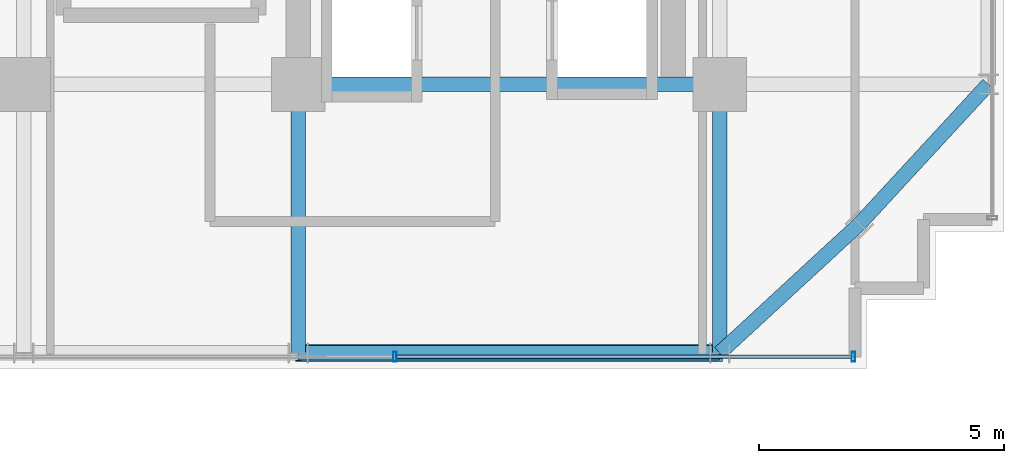
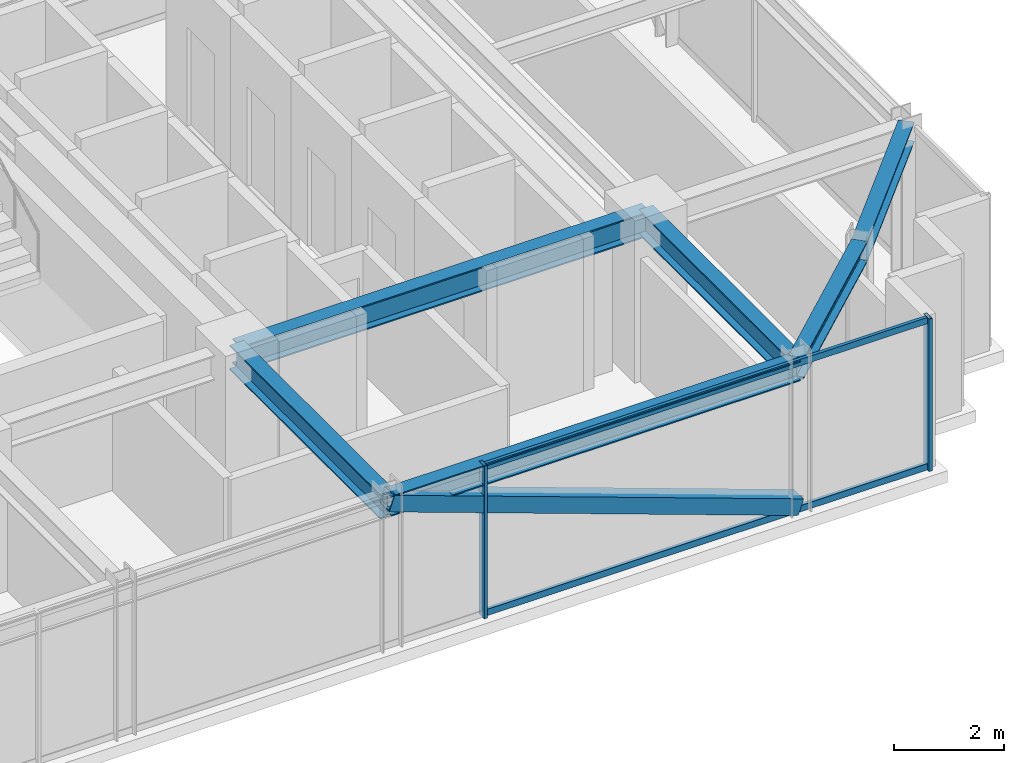
# One storey, part 12 of 36: 6 beams, 5 members, 1 element without a shape of its own.
"""IFC4 building model written with IfcOpenShell, lengths in metres."""

from ifc_helpers import new_model, si_unit, direction, frame, origin, origin_2d, place, context, subcontext, project, spatial, hollow_rectangle, i_section, extrude, source, transform, mapped, material, material_profile, profile_set, type_object, element, aggregate, save


model = new_model("IFC4")

# Units and contexts
model_context = context("Model", 3, precision=1e-05, world=origin(), true_north=direction((0.0, 1.0)))
body_context = subcontext(model_context, "Body", "Model", "MODEL_VIEW")
ifc_project = project(units=[si_unit("LENGTHUNIT", "METRE"), si_unit("AREAUNIT", "SQUARE_METRE"), si_unit("VOLUMEUNIT", "CUBIC_METRE"), si_unit("PLANEANGLEUNIT", "RADIAN"), si_unit("MASSUNIT", "GRAM", prefix="KILO")], contexts=[model_context])

# Site, building, storey
site_placement = place(None, origin())
site = spatial("IfcSite", under=ifc_project, at=site_placement, CompositionType="ELEMENT")
building_placement = place(site_placement, origin())
building = spatial("IfcBuilding", under=site, at=building_placement, Name="Nahalor Promenade Grand Hotel", CompositionType="ELEMENT")
storey_placement = place(building_placement, frame((0.0, 0.0, 170.89990234375)))
storey = spatial("IfcBuildingStorey", under=building, at=storey_placement, Name="L43", CompositionType="ELEMENT", Elevation=170.89990234375)

# Beams
ifc_material_1 = material(Name="Steel S355JR", Category="steel")
ifc_material_profile_1 = material_profile(ifc_material_1, i_section(OverallWidth=0.3, OverallDepth=0.55, WebThickness=0.015, FlangeThickness=0.029, at=origin_2d()), Name="HEB 550")
ifc_profile_set_1 = profile_set([ifc_material_profile_1], Name="Steel S355JR")
beam_type_1 = type_object("IfcBeamType", Name="Beam-Girder-HEB550", PredefinedType="BEAM", material=ifc_profile_set_1)
shared_shape_1 = source(origin(), body_context, "Body", "SweptSolid", [
    extrude(i_section(OverallWidth=0.3, OverallDepth=0.55, WebThickness=0.015, FlangeThickness=0.029, at=origin_2d()), origin(), (0.0, 0.0, 1.0), 8.60009765625),
])
beam_1_placement = place(storey_placement, frame((8.39990234375, -17.0, 3.114990234375), z_axis=(1.0, 0.0, 0.0), x_axis=(0.0, 1.0, 0.0)))
element("IfcBeam", 1, at=beam_1_placement, inside=storey, type_object=beam_type_1, Name="BM-L43-GX-0-5", PredefinedType="BEAM", context=body_context, shape_type="MappedRepresentation", body=[
    mapped(shared_shape_1, transform((0.0, 0.0, 0.0), scale=1.0)),
])
shared_shape_2 = source(origin(), body_context, "Body", "SweptSolid", [
    extrude(i_section(OverallWidth=0.3, OverallDepth=0.55, WebThickness=0.015, FlangeThickness=0.029, at=origin_2d()), origin(), (0.0, 0.0, 1.0), 5.47998046875),
])
for number, where, z_axis, x_axis, name in (
    (2, (8.39990234375, -22.47998046875, 3.114990234375), (0.0, 1.0, 0.0), (-1.0, 0.0, 0.0), "BM-L43-GY-4-0"),
    (3, (17.0, -22.47998046875, 3.114990234375), (0.0, 1.0, 0.0), (-1.0, 0.0, 0.0), "BM-L43-GY-5-0"),
):
    element("IfcBeam", number, at=place(storey_placement, frame(where, z_axis=z_axis, x_axis=x_axis)), inside=storey, type_object=beam_type_1, Name=name, PredefinedType="BEAM", context=body_context, shape_type="MappedRepresentation", body=[
        mapped(shared_shape_2, transform((0.0, 0.0, 0.0), scale=1.0)),
    ])
ifc_material_profile_2 = material_profile(ifc_material_1, i_section(OverallWidth=0.3, OverallDepth=0.45, WebThickness=0.014, FlangeThickness=0.026, at=origin_2d()), Name="HEB 450")
ifc_profile_set_2 = profile_set([ifc_material_profile_2], Name="Steel S355JR")
beam_type_2 = type_object("IfcBeamType", Name="Beam-Spandrel-HEB450", PredefinedType="SPANDREL", material=ifc_profile_set_2)
shared_shape_3 = source(origin(), body_context, "Body", "SweptSolid", [
    extrude(i_section(OverallWidth=0.3, OverallDepth=0.45, WebThickness=0.014, FlangeThickness=0.026, at=origin_2d()), origin(), (0.0, 0.0, 1.0), 8.60009765625),
])
beam_2_placement = place(storey_placement, frame((8.39990234375, -22.47998046875, 3.1650390625), z_axis=(1.0, 0.0, 0.0), x_axis=(0.0, 1.0, 0.0)))
element("IfcBeam", 4, at=beam_2_placement, inside=storey, type_object=beam_type_2, Name="BM-L43-SP-S-4", PredefinedType="SPANDREL", context=body_context, shape_type="MappedRepresentation", body=[
    mapped(shared_shape_3, transform((0.0, 0.0, 0.0), scale=1.0)),
])
shared_shape_4 = source(origin(), body_context, "Body", "SweptSolid", [
    extrude(i_section(OverallWidth=0.3, OverallDepth=0.45, WebThickness=0.014, FlangeThickness=0.026, at=origin_2d()), origin(), (0.0, 0.0, 1.0), 3.878173828125),
])
for number, where, z_axis, x_axis, name in (
    (5, (17.0, -22.47998046875, 3.1650390625), (0.73492893846, 0.678144125843, 0.0), (-0.678144125843, 0.73492893846, 0.0), "BM-L43-SPC-SE-1"),
    (6, (19.85009765625, -19.85009765625, 3.1650390625), (0.678144125843, 0.73492893846, 0.0), (-0.73492893846, 0.678144125843, 0.0), "BM-L43-SPC-SE-2"),
):
    element("IfcBeam", number, at=place(storey_placement, frame(where, z_axis=z_axis, x_axis=x_axis)), inside=storey, type_object=beam_type_2, Name=name, PredefinedType="SPANDREL", context=body_context, shape_type="MappedRepresentation", body=[
        mapped(shared_shape_4, transform((0.0, 0.0, 0.0), scale=1.0)),
    ])

# Member
ifc_material_profile_3 = material_profile(ifc_material_1, hollow_rectangle(XDim=0.35, YDim=0.35, WallThickness=0.02, at=origin_2d()), Name="SHS 350x350x20")
ifc_profile_set_3 = profile_set([ifc_material_profile_3], Name="Steel S355JR")
member_type_1 = type_object("IfcMemberType", Name="Mem-VoidBrace-SHS350", PredefinedType="BRACE", material=ifc_profile_set_3)
shared_shape_5 = source(origin(), body_context, "Body", "SweptSolid", [
    extrude(hollow_rectangle(XDim=0.35, YDim=0.35, WallThickness=0.02, at=origin_2d()), origin(), (0.0, 0.0, 1.0), 9.138427734375),
])
member_1_placement = place(storey_placement, frame((17.0, -22.47998046875, 0.150146484375), z_axis=(-0.941103144716, 0.0, 0.338119610501), x_axis=(0.0, -1.0, 0.0)))
element("IfcMember", 7, at=member_1_placement, inside=storey, type_object=member_type_1, Name="EXO-L43-S-1", PredefinedType="BRACE", context=body_context, shape_type="MappedRepresentation", body=[
    mapped(shared_shape_5, transform((0.0, 0.0, 0.0), scale=1.0)),
])

# Curtain wall, members
ifc_material_2 = material(Name="Anodised Bronze Aluminium EN AW-6063 T6", Category="aluminium")
curtain_wall_type = type_object("IfcCurtainWallType", Name="CW3 Elliptical-Void Collar Unitised Curtain Wall", PredefinedType="USERDEFINED", material=ifc_material_2)
curtain_wall_placement = place(storey_placement, origin())
curtain_wall = element("IfcCurtainWall", 8, at=curtain_wall_placement, inside=storey, type_object=curtain_wall_type, Name="L43 Curtain Wall CW-L43-S-3", ObjectType="UNITISED_CURTAIN_WALL", PredefinedType="USERDEFINED")
ifc_material_profile_4 = material_profile(ifc_material_2, hollow_rectangle(XDim=0.07, YDim=0.2, WallThickness=0.005, at=origin_2d()), Name="CWM 70x200x5")
ifc_profile_set_4 = profile_set([ifc_material_profile_4], Name="Anodised Bronze Aluminium EN AW-6063 T6")
member_type_2 = type_object("IfcMemberType", Name="CWM3 Void Collar Mullion 70x200", PredefinedType="MULLION", material=ifc_profile_set_4)
shared_shape_6 = source(origin(), body_context, "Body", "SweptSolid", [
    extrude(hollow_rectangle(XDim=0.07, YDim=0.2, WallThickness=0.005, at=origin_2d()), origin(), (0.0, 0.0, 1.0), 3.39013671875),
])
member_2_placement = place(storey_placement, frame((10.373291015625, -22.56005859375, 0.0), z_axis=(0.0, 0.0, 1.0), x_axis=(1.0, 0.0, 0.0)))
member_2 = element("IfcMember", 9, at=member_2_placement, type_object=member_type_2, Name="CW-L43-S-3 Mullion 2", PredefinedType="MULLION", context=body_context, shape_type="MappedRepresentation", body=[
    mapped(shared_shape_6, transform((0.0, 0.0, 0.0), scale=1.0)),
])
member_3_placement = place(storey_placement, frame((19.72509765625, -22.56005859375, 0.0), z_axis=(0.0, 0.0, 1.0), x_axis=(1.0, 0.0, 0.0)))
member_3 = element("IfcMember", 10, at=member_3_placement, type_object=member_type_2, Name="CW-L43-S-3 Mullion 3", PredefinedType="MULLION", context=body_context, shape_type="MappedRepresentation", body=[
    mapped(shared_shape_6, transform((0.0, 0.0, 0.0), scale=1.0)),
])
ifc_material_profile_5 = material_profile(ifc_material_2, hollow_rectangle(XDim=0.07, YDim=0.14, WallThickness=0.004, at=origin_2d()), Name="CWT 70x140x4")
ifc_profile_set_5 = profile_set([ifc_material_profile_5], Name="Anodised Bronze Aluminium EN AW-6063 T6")
member_type_3 = type_object("IfcMemberType", Name="CWT3 Void Collar Transom 70x140", PredefinedType="USERDEFINED", material=ifc_profile_set_5)
shared_shape_7 = source(origin(), body_context, "Body", "SweptSolid", [
    extrude(hollow_rectangle(XDim=0.07, YDim=0.14, WallThickness=0.004, at=origin_2d()), origin(), (0.0, 0.0, 1.0), 9.281494140625),
])
member_4_placement = place(storey_placement, frame((10.408447265625, -22.56005859375, 0.070068359375), z_axis=(1.0, 0.0, 0.0), x_axis=(0.0, 1.0, 0.0)))
member_4 = element("IfcMember", 11, at=member_4_placement, type_object=member_type_3, Name="CW-L43-S-3 Transom 2-0", ObjectType="TRANSOM", PredefinedType="USERDEFINED", context=body_context, shape_type="MappedRepresentation", body=[
    mapped(shared_shape_7, transform((0.0, 0.0, 0.0), scale=1.0)),
])
member_5_placement = place(storey_placement, frame((10.408447265625, -22.56005859375, 3.320068359375), z_axis=(1.0, 0.0, 0.0), x_axis=(0.0, 1.0, 0.0)))
member_5 = element("IfcMember", 12, at=member_5_placement, type_object=member_type_3, Name="CW-L43-S-3 Transom 2-1", ObjectType="TRANSOM", PredefinedType="USERDEFINED", context=body_context, shape_type="MappedRepresentation", body=[
    mapped(shared_shape_7, transform((0.0, 0.0, 0.0), scale=1.0)),
])
aggregate(curtain_wall, [member_2, member_3, member_4, member_5])

save(model, "model.ifc")
